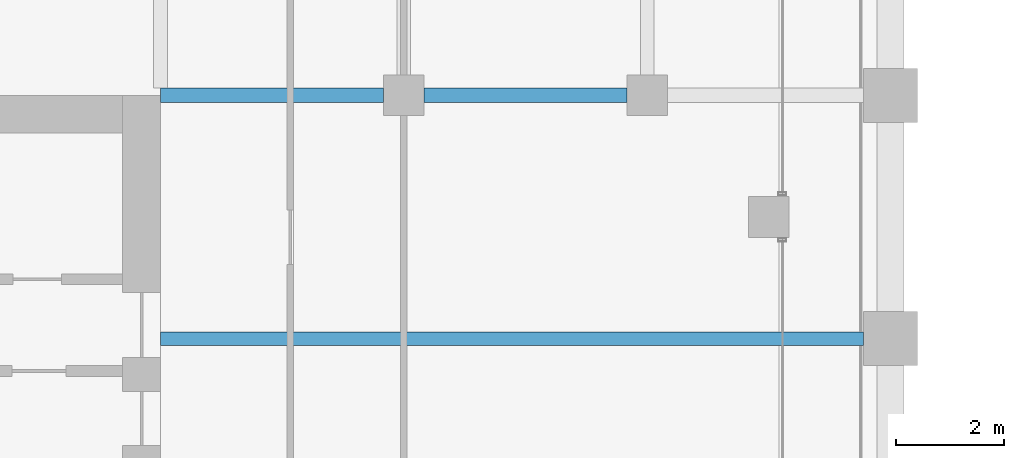
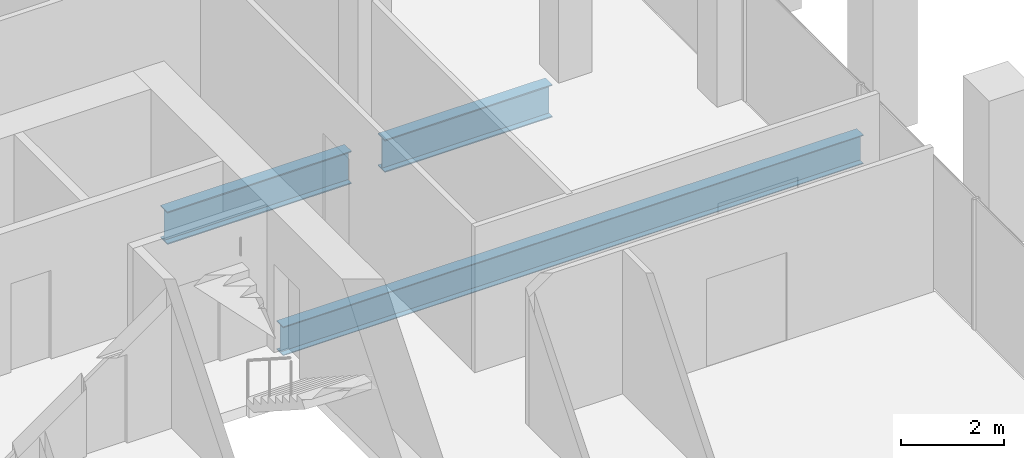
# One storey, part 18 of 46: 3 beams.
"""IFC4 building model written with IfcOpenShell, lengths in metres."""

import ifcopenshell
import ifcopenshell.guid

model = None  # the IFC model being written
_history = None  # IfcOwnerHistory: only IFC2X3 demands one
_inside = {}  # id of a spatial element -> (the spatial element, [elements in it])
_under = {}  # id of a project, library or spatial element -> (it, [spatial elements below it])
_declared = {}  # id of a project -> (the project, [libraries it declares])
_typed = {}  # id of a type object -> (the type object, [elements of that type])
_made_of = {}  # id of a material, layer set ... -> (it, [elements and type objects made of it])


def new_model(schema):
    """Start an empty IFC model of exactly this schema.

    Asked for "IFC4X3", IfcOpenShell would pick the latest addendum, in which some entities
    have other attributes; the version numbers below select the first issue.
    IFC2X3 requires an IfcOwnerHistory on every rooted entity: one is made here for all.
    """
    global model, _history
    if schema == "IFC4X3":
        model = ifcopenshell.file(schema_version=(4, 3, 0, 0))
    else:
        model = ifcopenshell.file(schema=schema)
    _inside.clear()
    _under.clear()
    _declared.clear()
    _typed.clear()
    _made_of.clear()
    _history = None
    if model.schema == "IFC2X3":
        org = make("IfcOrganization", Name="unknown")
        user = make(
            "IfcPersonAndOrganization",
            ThePerson=make("IfcPerson", FamilyName="unknown"),
            TheOrganization=org,
        )
        app = make(
            "IfcApplication",
            ApplicationDeveloper=org,
            Version="unknown",
            ApplicationFullName="unknown",
            ApplicationIdentifier="unknown",
        )
        _history = make(
            "IfcOwnerHistory",
            OwningUser=user,
            OwningApplication=app,
            ChangeAction="ADDED",
            CreationDate=0,
        )
    return model


def make(cls, **values):
    """One entity of the class cls with the attributes given. An attribute that is None is left unset."""
    return model.create_entity(
        cls, **{name: value for name, value in values.items() if value is not None}
    )


def rooted(cls, **values):
    """An entity with a GlobalId (a new one), such as an element, a storey or a relation."""
    return make(cls, GlobalId=ifcopenshell.guid.new(), OwnerHistory=_history, **values)


def si_unit(unit_type, name, prefix=None):
    """IfcSIUnit, for example si_unit("LENGTHUNIT", "METRE", prefix="MILLI")."""
    return make("IfcSIUnit", UnitType=unit_type, Prefix=prefix, Name=name)


def assignment(units):
    """IfcUnitAssignment: the units of a project."""
    return None if units is None else make("IfcUnitAssignment", Units=units)


def point(xyz):
    """IfcCartesianPoint."""
    return None if xyz is None else make("IfcCartesianPoint", Coordinates=xyz)


def direction(xyz):
    """IfcDirection."""
    return None if xyz is None else make("IfcDirection", DirectionRatios=xyz)


def frame(location, z_axis=None, x_axis=None):
    """IfcAxis2Placement3D, a coordinate frame: its origin and axes. An axis left out is left unset."""
    return make(
        "IfcAxis2Placement3D",
        Location=point(location),
        Axis=direction(z_axis),
        RefDirection=direction(x_axis),
    )


def frame_2d(location, x_axis=None):
    """IfcAxis2Placement2D, a coordinate frame in the plane: its origin and x axis."""
    return make(
        "IfcAxis2Placement2D", Location=point(location), RefDirection=direction(x_axis)
    )


def origin():
    """The frame at (0, 0, 0) with its axes left unset."""
    return frame((0.0, 0.0, 0.0))


def origin_2d():
    """The frame at (0, 0) in the plane with its x axis left unset."""
    return frame_2d((0.0, 0.0))


def place(relative_to, where):
    """IfcLocalPlacement: puts the frame where relative to a parent placement (None: the world)."""
    return make(
        "IfcLocalPlacement", PlacementRelTo=relative_to, RelativePlacement=where
    )


def context(
    kind, dimensions, precision=None, world=None, true_north=None, identifier=None
):
    """IfcGeometricRepresentationContext, for example the 3D "Model" context."""
    return make(
        "IfcGeometricRepresentationContext",
        ContextIdentifier=identifier,
        ContextType=kind,
        CoordinateSpaceDimension=dimensions,
        Precision=precision,
        WorldCoordinateSystem=world,
        TrueNorth=true_north,
    )


def subcontext(parent, identifier, kind, view, scale=None):
    """IfcGeometricRepresentationSubContext, for example "Body" below "Model"."""
    return make(
        "IfcGeometricRepresentationSubContext",
        ContextIdentifier=identifier,
        ContextType=kind,
        ParentContext=parent,
        TargetScale=scale,
        TargetView=view,
    )


def project(units=None, contexts=None):
    """IfcProject with its units and contexts."""
    return rooted(
        "IfcProject",
        Name="project",
        RepresentationContexts=contexts,
        UnitsInContext=assignment(units),
    )


def spatial(cls, under=None, at=None, **own):
    """A site, building, storey or space (cls), placed at a placement, below another one or the project."""
    s = rooted(cls, ObjectPlacement=at, **own)
    if under is not None:
        _under.setdefault(under.id(), (under, []))[1].append(s)
    return s


def profile(cls, at=None, kind="AREA", **sizes):
    """A parametric profile (cls). Its sizes go by their IFC names, for example OverallWidth=200.0."""
    return make(cls, ProfileType=kind, Position=at, **sizes)


def i_section(**sizes):
    """IfcIShapeProfileDef."""
    return profile("IfcIShapeProfileDef", **sizes)


def extrude(swept, where, along, depth):
    """IfcExtrudedAreaSolid: the profile swept, set in the frame where, extruded along a direction by depth."""
    return make(
        "IfcExtrudedAreaSolid",
        SweptArea=swept,
        Position=where,
        ExtrudedDirection=direction(along),
        Depth=depth,
    )


def shape(context_of_items, identifier, shape_type, items):
    """IfcShapeRepresentation: the items that make up one representation, for example the "Body"."""
    return make(
        "IfcShapeRepresentation",
        ContextOfItems=context_of_items,
        RepresentationIdentifier=identifier,
        RepresentationType=shape_type,
        Items=items,
    )


def material(Name=None, Category=None):
    """IfcMaterial."""
    return make("IfcMaterial", Name=Name, Category=Category)


def material_profile(
    of_material, cross_section, Name=None, Category=None, Priority=None
):
    """IfcMaterialProfile: a cross section and its material."""
    return make(
        "IfcMaterialProfile",
        Name=Name,
        Material=of_material,
        Profile=cross_section,
        Priority=Priority,
        Category=Category,
    )


def profile_set(profiles, Name=None, composite=None):
    """IfcMaterialProfileSet."""
    return make(
        "IfcMaterialProfileSet",
        Name=Name,
        MaterialProfiles=profiles,
        CompositeProfile=composite,
    )


def made_of(thing, what):
    """Note that an element or type object is made of a material, layer set ...; save() writes the relation."""
    if what is not None:
        _made_of.setdefault(what.id(), (what, []))[1].append(thing)
    return thing


def type_object(cls, material=None, **own):
    """A type object (cls), such as IfcWallType, which elements share."""
    return made_of(rooted(cls, **own), material)


def element(
    cls,
    number,
    at=None,
    inside=None,
    cuts=None,
    type_object=None,
    material=None,
    context=None,
    identifier="Body",
    shape_type=None,
    held_by="IfcProductDefinitionShape",
    body=None,
    shapes=None,
    **own,
):
    """One element of the class cls, such as IfcWall. Its Tag is "e" and its number.

    at: its placement. inside: the storey or other place that contains it. cuts: it is an
    opening in that element (IfcRelVoidsElement). A single representation is given by context,
    identifier, shape_type and body (its items); several are given by shapes. held_by: the class
    of the entity that holds the representations. save() writes the other relations.
    """
    e = rooted(cls, Tag="e%d" % number, ObjectPlacement=at, **own)
    if body is not None:
        shapes = [shape(context, identifier, shape_type, body)]
    if shapes is not None:
        e.Representation = make(held_by, Representations=shapes)
    if inside is not None:
        _inside.setdefault(inside.id(), (inside, []))[1].append(e)
    if cuts is not None:
        rooted(
            "IfcRelVoidsElement", RelatingBuildingElement=cuts, RelatedOpeningElement=e
        )
    if type_object is not None:
        _typed.setdefault(type_object.id(), (type_object, []))[1].append(e)
    return made_of(e, material)


def aggregate(whole, parts):
    """IfcRelAggregates: a whole, such as a stair, and the parts it consists of."""
    return rooted("IfcRelAggregates", RelatingObject=whole, RelatedObjects=parts)


def save(model, path):
    """Write the relations noted so far, then the file.

    IfcRelAggregates (storeys below a building ...), IfcRelContainedInSpatialStructure (elements
    in a storey), IfcRelDefinesByType, IfcRelAssociatesMaterial and IfcRelDeclares: one each for
    every whole, place, type object, material and project.
    """
    for whole, parts in _under.values():
        aggregate(whole, parts)
    for where, things in _inside.values():
        rooted(
            "IfcRelContainedInSpatialStructure",
            RelatedElements=things,
            RelatingStructure=where,
        )
    for kind, things in _typed.values():
        rooted("IfcRelDefinesByType", RelatedObjects=things, RelatingType=kind)
    for what, things in _made_of.values():
        rooted("IfcRelAssociatesMaterial", RelatedObjects=things, RelatingMaterial=what)
    for by, libraries in _declared.values():
        rooted("IfcRelDeclares", RelatingContext=by, RelatedDefinitions=libraries)
    model.write(path)


model = new_model("IFC4")

# Units and contexts
model_context = context("Model", 3, precision=1e-05, world=origin(), true_north=direction((0.0, 1.0)))
body_context = subcontext(model_context, "Body", "Model", "MODEL_VIEW")
ifc_project = project(units=[si_unit("LENGTHUNIT", "METRE"), si_unit("AREAUNIT", "SQUARE_METRE"), si_unit("VOLUMEUNIT", "CUBIC_METRE"), si_unit("PLANEANGLEUNIT", "RADIAN"), si_unit("MASSUNIT", "GRAM", prefix="KILO")], contexts=[model_context])

# Site, building, storey
site_placement = place(None, origin())
site = spatial("IfcSite", under=ifc_project, at=site_placement, CompositionType="ELEMENT")
building_placement = place(site_placement, origin())
building = spatial("IfcBuilding", under=site, at=building_placement, Name="Altepetl Exchange Towers", CompositionType="ELEMENT")
storey_placement = place(building_placement, frame((0.0, 0.0, 106.39990234375)))
storey = spatial("IfcBuildingStorey", under=building, at=storey_placement, Name="L26", CompositionType="ELEMENT", Elevation=106.39990234375)

# Beams
ifc_material = material(Name="Steel S355", Category="steel")
ifc_material_profile_1 = material_profile(ifc_material, i_section(OverallWidth=0.25390625, OverallDepth=0.68408203125, WebThickness=0.012451171875, FlangeThickness=0.018798828125, at=origin_2d()), Name="W27X94")
ifc_profile_set_1 = profile_set([ifc_material_profile_1], Name="Steel S355")
beam_type_1 = type_object("IfcBeamType", Name="Floor beam W27X94", PredefinedType="BEAM", material=ifc_profile_set_1)
beam_1_placement = place(storey_placement, frame((58.5, 54.0, -0.491943359375), z_axis=(1.0, 0.0, 0.0), x_axis=(0.0, 1.0, 0.0)))
element("IfcBeam", 1, at=beam_1_placement, inside=storey, type_object=beam_type_1, Name="bm:A:L26:011", PredefinedType="BEAM", context=body_context, shape_type="SweptSolid", body=[
    extrude(i_section(OverallWidth=0.25390625, OverallDepth=0.68408203125, WebThickness=0.012451171875, FlangeThickness=0.018798828125, at=origin_2d()), origin(), (0.0, 0.0, 1.0), 13.0),
])
ifc_material_profile_2 = material_profile(ifc_material, i_section(OverallWidth=0.26806640625, OverallDepth=0.77392578125, WebThickness=0.015380859375, FlangeThickness=0.025390625, at=origin_2d()), Name="W30X132")
ifc_profile_set_2 = profile_set([ifc_material_profile_2], Name="Steel S355")
beam_type_2 = type_object("IfcBeamType", Name="Girder W30X132", PredefinedType="BEAM", material=ifc_profile_set_2)
beam_2_placement = place(storey_placement, frame((58.5, 58.5, -0.536865234375), z_axis=(1.0, 0.0, 0.0), x_axis=(0.0, 1.0, 0.0)))
element("IfcBeam", 2, at=beam_2_placement, inside=storey, type_object=beam_type_2, Name="gd:A:L26:000", PredefinedType="BEAM", context=body_context, shape_type="SweptSolid", body=[
    extrude(i_section(OverallWidth=0.26806640625, OverallDepth=0.77392578125, WebThickness=0.015380859375, FlangeThickness=0.025390625, at=origin_2d()), origin(), (0.0, 0.0, 1.0), 4.125),
])
beam_3_placement = place(storey_placement, frame((63.375, 58.5, -0.536865234375), z_axis=(1.0, 0.0, 0.0), x_axis=(0.0, 1.0, 0.0)))
element("IfcBeam", 3, at=beam_3_placement, inside=storey, type_object=beam_type_2, Name="gd:A:L26:001", PredefinedType="BEAM", context=body_context, shape_type="SweptSolid", body=[
    extrude(i_section(OverallWidth=0.26806640625, OverallDepth=0.77392578125, WebThickness=0.015380859375, FlangeThickness=0.025390625, at=origin_2d()), origin(), (0.0, 0.0, 1.0), 3.75),
])

save(model, "model.ifc")
